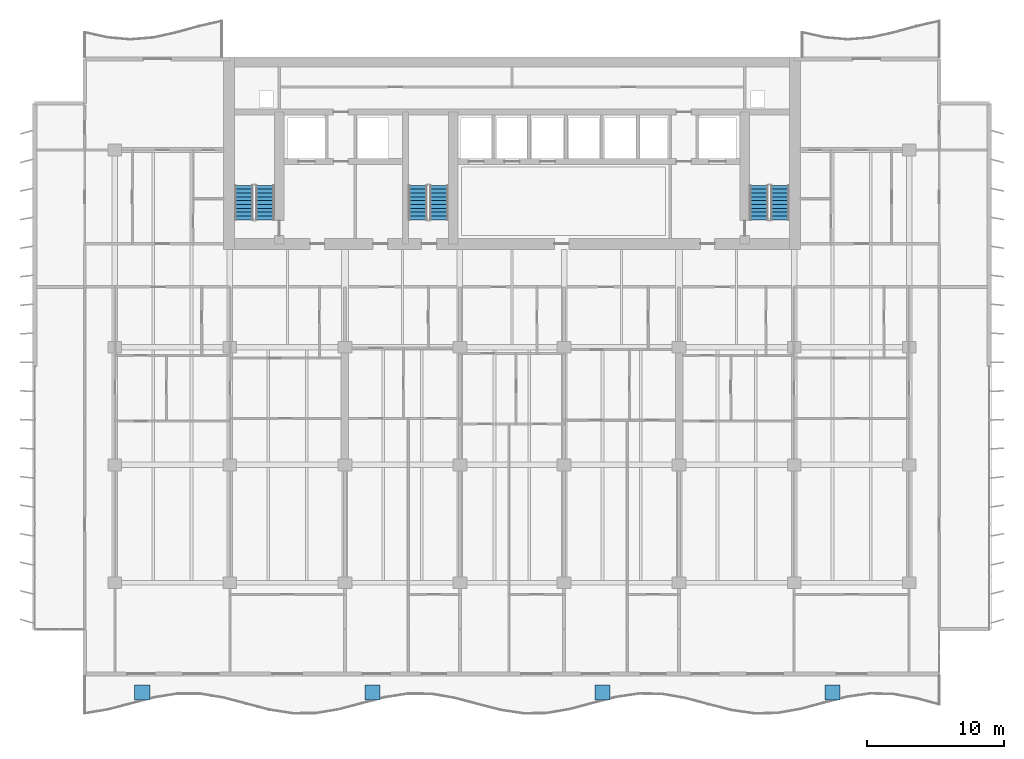
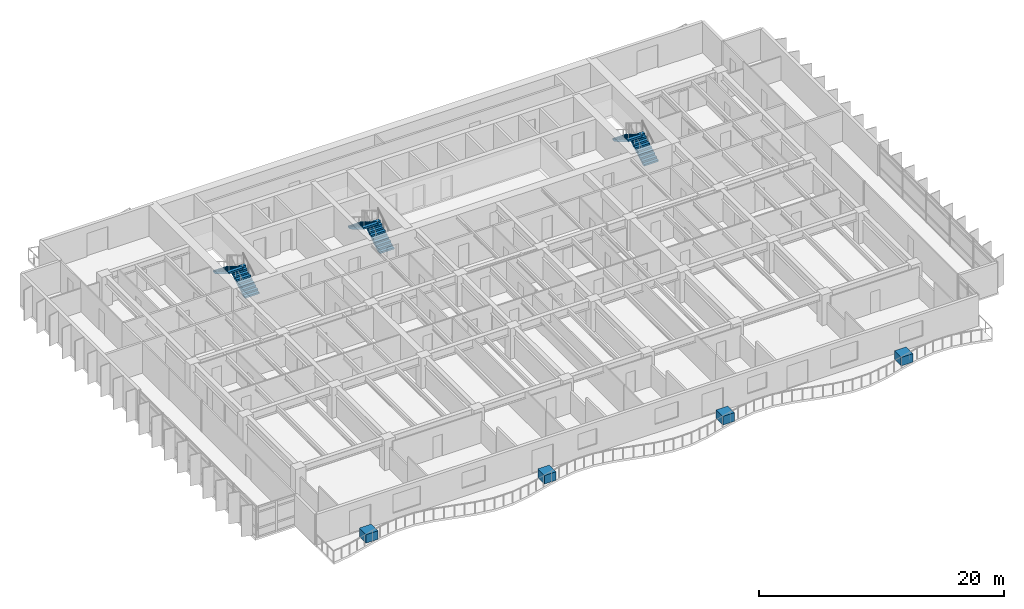
# One storey, part 15 of 19: 6 stair flights, 4 discrete accessories, 3 elements without a shape of their own.
"""IFC4 building model written with IfcOpenShell, lengths in metres."""

from ifc_helpers import new_model, si_unit, direction, frame, origin, origin_2d, place, context, subcontext, project, spatial, polyline, rectangle, outline, extrude, material, type_object, element, aggregate, save


model = new_model("IFC4")

# Units and contexts
model_context = context("Model", 3, precision=1e-05, world=origin(), true_north=direction((0.0, 1.0)))
body_context = subcontext(model_context, "Body", "Model", "MODEL_VIEW")
ifc_project = project(units=[si_unit("LENGTHUNIT", "METRE"), si_unit("AREAUNIT", "SQUARE_METRE"), si_unit("VOLUMEUNIT", "CUBIC_METRE"), si_unit("PLANEANGLEUNIT", "RADIAN"), si_unit("MASSUNIT", "GRAM", prefix="KILO")], contexts=[model_context])

# Site, building, storey
site_placement = place(None, origin())
site = spatial("IfcSite", under=ifc_project, at=site_placement, CompositionType="ELEMENT")
building_placement = place(site_placement, origin())
building = spatial("IfcBuilding", under=site, at=building_placement, Name="Caelmar Bay Residences", CompositionType="ELEMENT")
storey_placement = place(building_placement, frame((0.0, 0.0, 91.199951171875)))
storey = spatial("IfcBuildingStorey", under=building, at=storey_placement, Name="L24", CompositionType="ELEMENT", Elevation=91.199951171875)

# Stair, stair flights
ifc_material_1 = material(Name="Concrete f'c 40 MPa (6,000 psi)", Category="concrete")
stair_type = type_object("IfcStairType", Name="ST-TYP-165", PredefinedType="HALF_TURN_STAIR", material=ifc_material_1)
stair_1_placement = place(storey_placement, origin())
stair_1 = element("IfcStair", 1, at=stair_1_placement, inside=storey, type_object=stair_type, Name="L24 West Smokeproof Exit Stair ST1", PredefinedType="HALF_TURN_STAIR")
stair_flight_type = type_object("IfcStairFlightType", Name="STF-1350", PredefinedType="STRAIGHT", material=ifc_material_1)
stair_flight_1_placement = place(storey_placement, frame((20.875, 38.699951171875, 0.0), z_axis=(0.0, 0.0, 1.0), x_axis=(0.0, 1.0, 0.0)))
stair_flight_1 = element("IfcStairFlight", 2, at=stair_flight_1_placement, type_object=stair_flight_type, Name="ST1 flight 1", NumberOfRisers=10, NumberOfTreads=9, PredefinedType="STRAIGHT", RiserHeight=0.165, TreadLength=0.28, context=body_context, shape_type="SweptSolid", body=[
    extrude(outline(polyline([(0.0, 0.0), (0.0, 0.1650390625), (0.280029296875, 0.1650390625), (0.280029296875, 0.330078125), (0.56005859375, 0.330078125), (0.56005859375, 0.4951171875), (0.840087890625, 0.4951171875), (0.840087890625, 0.659912109375), (1.1201171875, 0.659912109375), (1.1201171875, 0.824951171875), (1.39990234375, 0.824951171875), (1.39990234375, 0.989990234375), (1.679931640625, 0.989990234375), (1.679931640625, 1.155029296875), (1.9599609375, 1.155029296875), (1.9599609375, 1.320068359375), (2.239990234375, 1.320068359375), (2.239990234375, 1.485107421875), (2.52001953125, 1.485107421875), (2.52001953125, 1.64990234375), (2.52001953125, 1.31103515625), (0.295166015625, 0.0), (0.0, 0.0)])), frame((0.0, 0.675048828125, 0.0), z_axis=(0.0, -1.0, 0.0), x_axis=(1.0, 0.0, 0.0)), (0.0, 0.0, 1.0), 1.35009765625),
])
stair_flight_2_placement = place(storey_placement, frame((19.324951171875, 41.219970703125, 1.650146484375), z_axis=(0.0, 0.0, 1.0), x_axis=(0.0, -1.0, 0.0)))
stair_flight_2 = element("IfcStairFlight", 3, at=stair_flight_2_placement, type_object=stair_flight_type, Name="ST1 flight 2", NumberOfRisers=10, NumberOfTreads=9, PredefinedType="STRAIGHT", RiserHeight=0.165, TreadLength=0.28, context=body_context, shape_type="SweptSolid", body=[
    extrude(outline(polyline([(0.0, 0.0), (0.0, 0.1650390625), (0.280029296875, 0.1650390625), (0.280029296875, 0.330078125), (0.56005859375, 0.330078125), (0.56005859375, 0.4951171875), (0.840087890625, 0.4951171875), (0.840087890625, 0.659912109375), (1.1201171875, 0.659912109375), (1.1201171875, 0.824951171875), (1.39990234375, 0.824951171875), (1.39990234375, 0.989990234375), (1.679931640625, 0.989990234375), (1.679931640625, 1.155029296875), (1.9599609375, 1.155029296875), (1.9599609375, 1.320068359375), (2.239990234375, 1.320068359375), (2.239990234375, 1.485107421875), (2.52001953125, 1.485107421875), (2.52001953125, 1.64990234375), (2.52001953125, 1.31103515625), (0.295166015625, 0.0), (0.0, 0.0)])), frame((0.0, 0.675048828125, 0.0), z_axis=(0.0, -1.0, 0.0), x_axis=(1.0, 0.0, 0.0)), (0.0, 0.0, 1.0), 1.35009765625),
])
aggregate(stair_1, [stair_flight_1, stair_flight_2])

stair_2_placement = place(storey_placement, origin())
stair_2 = element("IfcStair", 4, at=stair_2_placement, inside=storey, type_object=stair_type, Name="L24 East Smokeproof Exit Stair ST2", PredefinedType="HALF_TURN_STAIR")
stair_flight_3_placement = place(storey_placement, frame((58.47509765625, 38.699951171875, 0.0), z_axis=(0.0, 0.0, 1.0), x_axis=(0.0, 1.0, 0.0)))
stair_flight_3 = element("IfcStairFlight", 5, at=stair_flight_3_placement, type_object=stair_flight_type, Name="ST2 flight 1", NumberOfRisers=10, NumberOfTreads=9, PredefinedType="STRAIGHT", RiserHeight=0.165, TreadLength=0.28, context=body_context, shape_type="SweptSolid", body=[
    extrude(outline(polyline([(0.0, 0.0), (0.0, 0.1650390625), (0.280029296875, 0.1650390625), (0.280029296875, 0.330078125), (0.56005859375, 0.330078125), (0.56005859375, 0.4951171875), (0.840087890625, 0.4951171875), (0.840087890625, 0.659912109375), (1.1201171875, 0.659912109375), (1.1201171875, 0.824951171875), (1.39990234375, 0.824951171875), (1.39990234375, 0.989990234375), (1.679931640625, 0.989990234375), (1.679931640625, 1.155029296875), (1.9599609375, 1.155029296875), (1.9599609375, 1.320068359375), (2.239990234375, 1.320068359375), (2.239990234375, 1.485107421875), (2.52001953125, 1.485107421875), (2.52001953125, 1.64990234375), (2.52001953125, 1.31103515625), (0.295166015625, 0.0), (0.0, 0.0)])), frame((0.0, 0.675048828125, 0.0), z_axis=(0.0, -1.0, 0.0), x_axis=(1.0, 0.0, 0.0)), (0.0, 0.0, 1.0), 1.35009765625),
])
stair_flight_4_placement = place(storey_placement, frame((56.925048828125, 41.219970703125, 1.650146484375), z_axis=(0.0, 0.0, 1.0), x_axis=(0.0, -1.0, 0.0)))
stair_flight_4 = element("IfcStairFlight", 6, at=stair_flight_4_placement, type_object=stair_flight_type, Name="ST2 flight 2", NumberOfRisers=10, NumberOfTreads=9, PredefinedType="STRAIGHT", RiserHeight=0.165, TreadLength=0.28, context=body_context, shape_type="SweptSolid", body=[
    extrude(outline(polyline([(0.0, 0.0), (0.0, 0.1650390625), (0.280029296875, 0.1650390625), (0.280029296875, 0.330078125), (0.56005859375, 0.330078125), (0.56005859375, 0.4951171875), (0.840087890625, 0.4951171875), (0.840087890625, 0.659912109375), (1.1201171875, 0.659912109375), (1.1201171875, 0.824951171875), (1.39990234375, 0.824951171875), (1.39990234375, 0.989990234375), (1.679931640625, 0.989990234375), (1.679931640625, 1.155029296875), (1.9599609375, 1.155029296875), (1.9599609375, 1.320068359375), (2.239990234375, 1.320068359375), (2.239990234375, 1.485107421875), (2.52001953125, 1.485107421875), (2.52001953125, 1.64990234375), (2.52001953125, 1.31103515625), (0.295166015625, 0.0), (0.0, 0.0)])), frame((0.0, 0.675048828125, 0.0), z_axis=(0.0, -1.0, 0.0), x_axis=(1.0, 0.0, 0.0)), (0.0, 0.0, 1.0), 1.35009765625),
])
aggregate(stair_2, [stair_flight_3, stair_flight_4])

stair_3_placement = place(storey_placement, origin())
stair_3 = element("IfcStair", 7, at=stair_3_placement, inside=storey, type_object=stair_type, Name="L24 Central Smokeproof Exit Stair ST3", PredefinedType="HALF_TURN_STAIR")
stair_flight_5_placement = place(storey_placement, frame((33.574951171875, 38.699951171875, 0.0), z_axis=(0.0, 0.0, 1.0), x_axis=(0.0, 1.0, 0.0)))
stair_flight_5 = element("IfcStairFlight", 8, at=stair_flight_5_placement, type_object=stair_flight_type, Name="ST3 flight 1", NumberOfRisers=10, NumberOfTreads=9, PredefinedType="STRAIGHT", RiserHeight=0.165, TreadLength=0.28, context=body_context, shape_type="SweptSolid", body=[
    extrude(outline(polyline([(0.0, 0.0), (0.0, 0.1650390625), (0.280029296875, 0.1650390625), (0.280029296875, 0.330078125), (0.56005859375, 0.330078125), (0.56005859375, 0.4951171875), (0.840087890625, 0.4951171875), (0.840087890625, 0.659912109375), (1.1201171875, 0.659912109375), (1.1201171875, 0.824951171875), (1.39990234375, 0.824951171875), (1.39990234375, 0.989990234375), (1.679931640625, 0.989990234375), (1.679931640625, 1.155029296875), (1.9599609375, 1.155029296875), (1.9599609375, 1.320068359375), (2.239990234375, 1.320068359375), (2.239990234375, 1.485107421875), (2.52001953125, 1.485107421875), (2.52001953125, 1.64990234375), (2.52001953125, 1.31103515625), (0.295166015625, 0.0), (0.0, 0.0)])), frame((0.0, 0.675048828125, 0.0), z_axis=(0.0, -1.0, 0.0), x_axis=(1.0, 0.0, 0.0)), (0.0, 0.0, 1.0), 1.35009765625),
])
stair_flight_6_placement = place(storey_placement, frame((32.02490234375, 41.219970703125, 1.650146484375), z_axis=(0.0, 0.0, 1.0), x_axis=(0.0, -1.0, 0.0)))
stair_flight_6 = element("IfcStairFlight", 9, at=stair_flight_6_placement, type_object=stair_flight_type, Name="ST3 flight 2", NumberOfRisers=10, NumberOfTreads=9, PredefinedType="STRAIGHT", RiserHeight=0.165, TreadLength=0.28, context=body_context, shape_type="SweptSolid", body=[
    extrude(outline(polyline([(0.0, 0.0), (0.0, 0.1650390625), (0.280029296875, 0.1650390625), (0.280029296875, 0.330078125), (0.56005859375, 0.330078125), (0.56005859375, 0.4951171875), (0.840087890625, 0.4951171875), (0.840087890625, 0.659912109375), (1.1201171875, 0.659912109375), (1.1201171875, 0.824951171875), (1.39990234375, 0.824951171875), (1.39990234375, 0.989990234375), (1.679931640625, 0.989990234375), (1.679931640625, 1.155029296875), (1.9599609375, 1.155029296875), (1.9599609375, 1.320068359375), (2.239990234375, 1.320068359375), (2.239990234375, 1.485107421875), (2.52001953125, 1.485107421875), (2.52001953125, 1.64990234375), (2.52001953125, 1.31103515625), (0.295166015625, 0.0), (0.0, 0.0)])), frame((0.0, 0.675048828125, 0.0), z_axis=(0.0, -1.0, 0.0), x_axis=(1.0, 0.0, 0.0)), (0.0, 0.0, 1.0), 1.35009765625),
])
aggregate(stair_3, [stair_flight_5, stair_flight_6])

# Discrete accessories
ifc_material_2 = material(Name="Architectural bronze GRC planter trough with volcanic-lapilli substrate")
discrete_accessory_type = type_object("IfcDiscreteAccessoryType", Name="ACC-PLANTER-1100", PredefinedType="USERDEFINED", material=ifc_material_2)
for number, where, z_axis, x_axis, name in (
    (10, (11.89990234375, 4.181884765625, 0.0), (0.0, 0.0, 1.0), (1.0, 0.0, 0.0), "L24 Balcony Structural Tree Planter 1"),
    (11, (28.699951171875, 4.181884765625, 0.0), (0.0, 0.0, 1.0), (1.0, 0.0, 0.0), "L24 Balcony Structural Tree Planter 2"),
    (12, (45.5, 4.181884765625, 0.0), (0.0, 0.0, 1.0), (1.0, 0.0, 0.0), "L24 Balcony Structural Tree Planter 3"),
    (13, (62.300048828125, 4.181884765625, 0.0), (0.0, 0.0, 1.0), (1.0, 0.0, 0.0), "L24 Balcony Structural Tree Planter 4"),
):
    element("IfcDiscreteAccessory", number, at=place(storey_placement, frame(where, z_axis=z_axis, x_axis=x_axis)), inside=storey, type_object=discrete_accessory_type, Name=name, ObjectType="PLANTER", PredefinedType="USERDEFINED", context=body_context, shape_type="SweptSolid", body=[
        extrude(rectangle(XDim=1.10009765625, YDim=1.10009765625, at=origin_2d()), origin(), (0.0, 0.0, 1.0), 0.85009765625),
    ])

save(model, "model.ifc")
